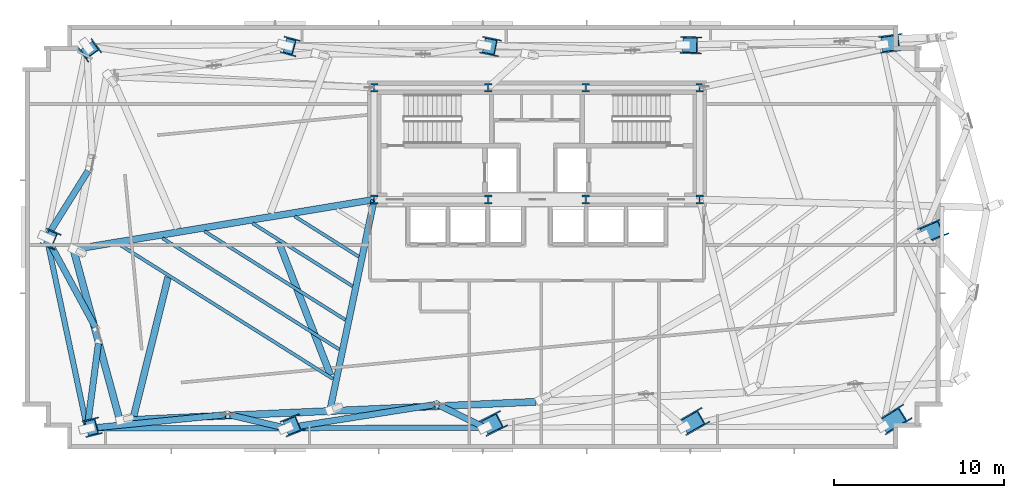
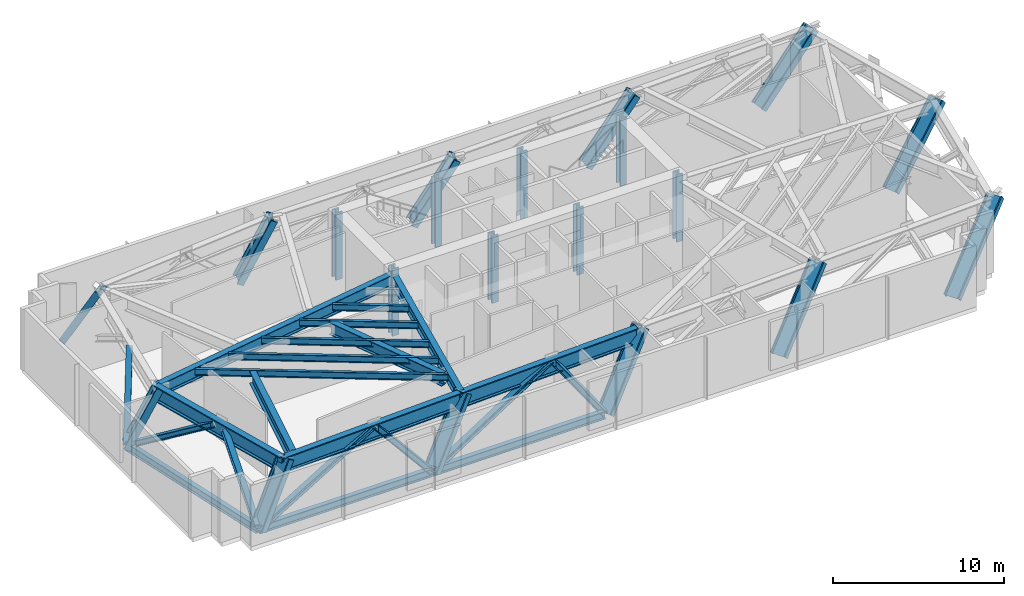
# One storey, part 1 of 11: 20 columns, 12 beams, 10 members.
"""IFC4 building model written with IfcOpenShell, lengths in metres."""

from ifc_helpers import new_model, si_unit, direction, frame, origin, origin_2d, place, context, subcontext, project, spatial, i_section, extrude, source, transform, mapped, material, material_profile, profile_set, type_object, type_shapes, element, save


model = new_model("IFC4")

# Units and contexts
model_context = context("Model", 3, precision=1e-05, world=origin(), true_north=direction((0.0, 1.0)))
body_context = subcontext(model_context, "Body", "Model", "MODEL_VIEW")
ifc_project = project(units=[si_unit("LENGTHUNIT", "METRE"), si_unit("AREAUNIT", "SQUARE_METRE"), si_unit("VOLUMEUNIT", "CUBIC_METRE"), si_unit("PLANEANGLEUNIT", "RADIAN"), si_unit("MASSUNIT", "GRAM", prefix="KILO")], contexts=[model_context])

# Site, building, storey
site_placement = place(None, origin())
site = spatial("IfcSite", under=ifc_project, at=site_placement, CompositionType="ELEMENT")
building_placement = place(site_placement, origin())
building = spatial("IfcBuilding", under=site, at=building_placement, Name="Astriad Promenade Condominiums", CompositionType="ELEMENT")
storey_placement = place(building_placement, frame((0.0, 0.0, 67.800048828125)))
storey = spatial("IfcBuildingStorey", under=building, at=storey_placement, Name="L19", CompositionType="ELEMENT", Elevation=67.800048828125)

# Columns
ifc_material = material(Name="Steel ASTM A992 Grade 50", Category="steel")
ifc_material_profile_1 = material_profile(ifc_material, i_section(OverallWidth=0.43701171875, OverallDepth=0.51416015625, WebThickness=0.060546875, FlangeThickness=0.096923828125, FilletRadius=0.017822265625, at=origin_2d()), Name="W14X550")
ifc_profile_set_1 = profile_set([ifc_material_profile_1], Name="Steel ASTM A992 Grade 50")
column_type_1 = type_object("IfcColumnType", Name="STEEL CORE PILASTER W14X550", PredefinedType="PILASTER", material=ifc_profile_set_1)
shared_shape_1 = source(origin(), body_context, "Body", "SweptSolid", [
    extrude(i_section(OverallWidth=0.43701171875, OverallDepth=0.51416015625, WebThickness=0.060546875, FlangeThickness=0.096923828125, FilletRadius=0.017822265625, at=origin_2d()), origin(), (0.0, 0.0, 1.0), 4.7958984375),
])
type_shapes(column_type_1, [shared_shape_1])
for number, where, z_axis, x_axis, name in (
    (1, (26.39990234375, 17.39990234375, 0.001953125), (0.0, 0.0, 1.0), (1.0, 0.0, 0.0), "Core Pilaster Column CP1 (L19)"),
    (2, (33.1201171875, 17.39990234375, 0.001953125), (0.0, 0.0, 1.0), (1.0, 0.0, 0.0), "Core Pilaster Column CP2 (L19)"),
    (3, (38.8798828125, 17.39990234375, 0.001953125), (0.0, 0.0, 1.0), (1.0, 0.0, 0.0), "Core Pilaster Column CP3 (L19)"),
    (4, (45.60009765625, 17.39990234375, 0.001953125), (0.0, 0.0, 1.0), (1.0, 0.0, 0.0), "Core Pilaster Column CP4 (L19)"),
    (5, (26.39990234375, 24.0, 0.001953125), (0.0, 0.0, 1.0), (1.0, 0.0, 0.0), "Core Pilaster Column CP5 (L19)"),
    (6, (33.1201171875, 24.0, 0.001953125), (0.0, 0.0, 1.0), (1.0, 0.0, 0.0), "Core Pilaster Column CP6 (L19)"),
    (7, (38.8798828125, 24.0, 0.001953125), (0.0, 0.0, 1.0), (1.0, 0.0, 0.0), "Core Pilaster Column CP7 (L19)"),
    (8, (45.60009765625, 24.0, 0.001953125), (0.0, 0.0, 1.0), (1.0, 0.0, 0.0), "Core Pilaster Column CP8 (L19)"),
):
    element("IfcColumn", number, at=place(storey_placement, frame(where, z_axis=z_axis, x_axis=x_axis)), inside=storey, type_object=column_type_1, Name=name, PredefinedType="PILASTER", context=body_context, shape_type="MappedRepresentation", body=[
        mapped(shared_shape_1, transform((0.0, 0.0, 0.0), scale=1.0)),
    ])
ifc_material_profile_2 = material_profile(ifc_material, i_section(OverallWidth=0.4375, OverallDepth=1.01123046875, WebThickness=0.041015625, FlangeThickness=0.073974609375, FilletRadius=0.024169921875, at=origin_2d()), Name="W36X529")
ifc_profile_set_2 = profile_set([ifc_material_profile_2], Name="Steel ASTM A992 Grade 50")
column_type_2 = type_object("IfcColumnType", Name="STEEL RAKING MEGA COLUMN W36X529", PredefinedType="COLUMN", material=ifc_profile_set_2)
shared_shape_2 = source(origin(), body_context, "Body", "SweptSolid", [
    extrude(i_section(OverallWidth=0.4375, OverallDepth=1.01123046875, WebThickness=0.041015625, FlangeThickness=0.073974609375, FilletRadius=0.024169921875, at=origin_2d()), origin(), (0.0, 0.0, 1.0), 4.709716796875),
])
column_1_placement = place(storey_placement, frame((9.460205078125, 3.89501953125, 0.115234375), z_axis=(0.459189207654, 0.113527248223, 0.881054388494), x_axis=(-0.855302030162, -0.211459860697, 0.473014972823)))
element("IfcColumn", 9, at=column_1_placement, inside=storey, type_object=column_type_2, Name="Raking Mega-Strut Column PC01 (L19)", PredefinedType="COLUMN", context=body_context, shape_type="MappedRepresentation", body=[
    mapped(shared_shape_2, transform((0.0, 0.0, 0.0), scale=1.0)),
])
shared_shape_3 = source(origin(), body_context, "Body", "SweptSolid", [
    extrude(i_section(OverallWidth=0.4375, OverallDepth=1.01123046875, WebThickness=0.041015625, FlangeThickness=0.073974609375, FilletRadius=0.024169921875, at=origin_2d()), origin(), (0.0, 0.0, 1.0), 5.0673828125),
])
column_2_placement = place(storey_placement, frame((21.19482421875, 3.918212890625, 0.140625), z_axis=(0.545277621351, 0.220221241137, 0.808810806435), x_axis=(-0.749957023559, -0.302885099371, 0.588068941021)))
element("IfcColumn", 10, at=column_2_placement, inside=storey, type_object=column_type_2, Name="Raking Mega-Strut Column PC02 (L19)", PredefinedType="COLUMN", context=body_context, shape_type="MappedRepresentation", body=[
    mapped(shared_shape_3, transform((0.0, 0.0, 0.0), scale=1.0)),
])
shared_shape_4 = source(origin(), body_context, "Body", "SweptSolid", [
    extrude(i_section(OverallWidth=0.4375, OverallDepth=1.01123046875, WebThickness=0.041015625, FlangeThickness=0.073974609375, FilletRadius=0.024169921875, at=origin_2d()), origin(), (0.0, 0.0, 1.0), 5.530517578125),
])
column_3_placement = place(storey_placement, frame((32.932861328125, 3.94677734375, 0.16064453125), z_axis=(0.606986137209, 0.30499397978, 0.733857275997), x_axis=(-0.655732041626, -0.329487467316, 0.67930368648)))
element("IfcColumn", 11, at=column_3_placement, inside=storey, type_object=column_type_2, Name="Raking Mega-Strut Column PC03 (L19)", PredefinedType="COLUMN", context=body_context, shape_type="MappedRepresentation", body=[
    mapped(shared_shape_4, transform((0.0, 0.0, 0.0), scale=1.0)),
])
shared_shape_5 = source(origin(), body_context, "Body", "SweptSolid", [
    extrude(i_section(OverallWidth=0.4375, OverallDepth=1.01123046875, WebThickness=0.041015625, FlangeThickness=0.073974609375, FilletRadius=0.024169921875, at=origin_2d()), origin(), (0.0, 0.0, 1.0), 6.07373046875),
])
column_4_placement = place(storey_placement, frame((44.672119140625, 3.978271484375, 0.175537109375), z_axis=(0.650053077924, 0.370729627609, 0.663317826607), x_axis=(-0.576199405668, -0.328610383285, 0.748337798661)))
element("IfcColumn", 12, at=column_4_placement, inside=storey, type_object=column_type_2, Name="Raking Mega-Strut Column PC04 (L19)", PredefinedType="COLUMN", context=body_context, shape_type="MappedRepresentation", body=[
    mapped(shared_shape_5, transform((0.0, 0.0, 0.0), scale=1.0)),
])
shared_shape_6 = source(origin(), body_context, "Body", "SweptSolid", [
    extrude(i_section(OverallWidth=0.4375, OverallDepth=1.01123046875, WebThickness=0.041015625, FlangeThickness=0.073974609375, FilletRadius=0.024169921875, at=origin_2d()), origin(), (0.0, 0.0, 1.0), 6.67578125),
])
column_5_placement = place(storey_placement, frame((56.411865234375, 4.01123046875, 0.186767578125), z_axis=(0.679883382417, 0.42143919633, 0.600122979155), x_axis=(-0.510075868741, -0.316180641782, 0.799907750863)))
element("IfcColumn", 13, at=column_5_placement, inside=storey, type_object=column_type_2, Name="Raking Mega-Strut Column PC05 (L19)", PredefinedType="COLUMN", context=body_context, shape_type="MappedRepresentation", body=[
    mapped(shared_shape_6, transform((0.0, 0.0, 0.0), scale=1.0)),
])
shared_shape_7 = source(origin(), body_context, "Body", "SweptSolid", [
    extrude(i_section(OverallWidth=0.4375, OverallDepth=1.01123046875, WebThickness=0.041015625, FlangeThickness=0.073974609375, FilletRadius=0.024169921875, at=origin_2d()), origin(), (0.0, 0.0, 1.0), 4.74365234375),
])
column_6_placement = place(storey_placement, frame((9.43896484375, 26.466552734375, 0.11865234375), z_axis=(0.286665523247, -0.39397209703, 0.87327479326), x_axis=(-0.513800047409, 0.706129149537, 0.487228011774)))
element("IfcColumn", 14, at=column_6_placement, inside=storey, type_object=column_type_2, Name="Raking Mega-Strut Column PC06 (L19)", PredefinedType="COLUMN", context=body_context, shape_type="MappedRepresentation", body=[
    mapped(shared_shape_7, transform((0.0, 0.0, 0.0), scale=1.0)),
])
shared_shape_8 = source(origin(), body_context, "Body", "SweptSolid", [
    extrude(i_section(OverallWidth=0.4375, OverallDepth=1.01123046875, WebThickness=0.041015625, FlangeThickness=0.073974609375, FilletRadius=0.024169921875, at=origin_2d()), origin(), (0.0, 0.0, 1.0), 4.6494140625),
])
column_7_placement = place(storey_placement, frame((21.152587890625, 26.505615234375, 0.109375), z_axis=(0.430636998104, -0.116415342616, 0.894985610984), x_axis=(-0.863972718765, 0.233560238691, 0.446095007966)))
element("IfcColumn", 15, at=column_7_placement, inside=storey, type_object=column_type_2, Name="Raking Mega-Strut Column PC07 (L19)", PredefinedType="COLUMN", context=body_context, shape_type="MappedRepresentation", body=[
    mapped(shared_shape_8, transform((0.0, 0.0, 0.0), scale=1.0)),
])
shared_shape_9 = source(origin(), body_context, "Body", "SweptSolid", [
    extrude(i_section(OverallWidth=0.4375, OverallDepth=1.01123046875, WebThickness=0.041015625, FlangeThickness=0.073974609375, FilletRadius=0.024169921875, at=origin_2d()), origin(), (0.0, 0.0, 1.0), 4.90576171875),
])
column_8_placement = place(storey_placement, frame((32.883056640625, 26.5029296875, 0.130859375), z_axis=(0.532309385459, -0.109238883796, 0.839472205864), x_axis=(-0.822334879138, 0.168757017549, 0.543402627507)))
element("IfcColumn", 16, at=column_8_placement, inside=storey, type_object=column_type_2, Name="Raking Mega-Strut Column PC08 (L19)", PredefinedType="COLUMN", context=body_context, shape_type="MappedRepresentation", body=[
    mapped(shared_shape_9, transform((0.0, 0.0, 0.0), scale=1.0)),
])
shared_shape_10 = source(origin(), body_context, "Body", "SweptSolid", [
    extrude(i_section(OverallWidth=0.4375, OverallDepth=1.01123046875, WebThickness=0.041015625, FlangeThickness=0.073974609375, FilletRadius=0.024169921875, at=origin_2d()), origin(), (0.0, 0.0, 1.0), 5.19970703125),
])
column_9_placement = place(storey_placement, frame((44.615966796875, 26.516845703125, 0.147216796875), z_axis=(0.618371015746, -0.016574409154, 0.7857115093), x_axis=(-0.78542942621, 0.021052132684, 0.618593100635)))
element("IfcColumn", 17, at=column_9_placement, inside=storey, type_object=column_type_2, Name="Raking Mega-Strut Column PC09 (L19)", PredefinedType="COLUMN", context=body_context, shape_type="MappedRepresentation", body=[
    mapped(shared_shape_10, transform((0.0, 0.0, 0.0), scale=1.0)),
])
shared_shape_11 = source(origin(), body_context, "Body", "SweptSolid", [
    extrude(i_section(OverallWidth=0.4375, OverallDepth=1.01123046875, WebThickness=0.041015625, FlangeThickness=0.073974609375, FilletRadius=0.024169921875, at=origin_2d()), origin(), (0.0, 0.0, 1.0), 5.58740234375),
])
column_10_placement = place(storey_placement, frame((56.352783203125, 26.539794921875, 0.162353515625), z_axis=(0.682177738358, 0.088702332108, 0.725786077), x_axis=(-0.719727246823, -0.093584826483, 0.687920468101)))
element("IfcColumn", 18, at=column_10_placement, inside=storey, type_object=column_type_2, Name="Raking Mega-Strut Column PC10 (L19)", PredefinedType="COLUMN", context=body_context, shape_type="MappedRepresentation", body=[
    mapped(shared_shape_11, transform((0.0, 0.0, 0.0), scale=1.0)),
])
shared_shape_12 = source(origin(), body_context, "Body", "SweptSolid", [
    extrude(i_section(OverallWidth=0.4375, OverallDepth=1.01123046875, WebThickness=0.041015625, FlangeThickness=0.073974609375, FilletRadius=0.024169921875, at=origin_2d()), origin(), (0.0, 0.0, 1.0), 4.600830078125),
])
column_11_placement = place(storey_placement, frame((7.064453125, 15.180419921875, 0.104248046875), z_axis=(0.386210053475, -0.169650115548, 0.906675594074), x_axis=(-0.830117328053, 0.364644833441, 0.421828599209)))
element("IfcColumn", 19, at=column_11_placement, inside=storey, type_object=column_type_2, Name="Raking Mega-Strut Column PC11 (L19)", PredefinedType="COLUMN", context=body_context, shape_type="MappedRepresentation", body=[
    mapped(shared_shape_12, transform((0.0, 0.0, 0.0), scale=1.0)),
])
shared_shape_13 = source(origin(), body_context, "Body", "SweptSolid", [
    extrude(i_section(OverallWidth=0.4375, OverallDepth=1.01123046875, WebThickness=0.041015625, FlangeThickness=0.073974609375, FilletRadius=0.024169921875, at=origin_2d()), origin(), (0.0, 0.0, 1.0), 6.062255859375),
])
type_shapes(column_type_2, [shared_shape_2, shared_shape_3, shared_shape_4, shared_shape_5, shared_shape_6, shared_shape_7, shared_shape_8, shared_shape_9, shared_shape_10, shared_shape_11, shared_shape_12, shared_shape_13])
column_12_placement = place(storey_placement, frame((58.76171875, 15.27685546875, 0.17529296875), z_axis=(0.688020550585, 0.291293177381, 0.664662325383), x_axis=(-0.612065955213, -0.25913562714, 0.74714389057)))
element("IfcColumn", 20, at=column_12_placement, inside=storey, type_object=column_type_2, Name="Raking Mega-Strut Column PC12 (L19)", PredefinedType="COLUMN", context=body_context, shape_type="MappedRepresentation", body=[
    mapped(shared_shape_13, transform((0.0, 0.0, 0.0), scale=1.0)),
])

# Beams
ifc_material_profile_3 = material_profile(ifc_material, i_section(OverallWidth=0.4169921875, OverallDepth=1.093505859375, WebThickness=0.0390625, FlangeThickness=0.070068359375, FilletRadius=0.025390625, at=origin_2d()), Name="W40X503")
ifc_profile_set_3 = profile_set([ifc_material_profile_3], Name="Steel ASTM A992 Grade 50")
beam_type_1 = type_object("IfcBeamType", Name="STEEL TRANSFER GIRDER W40X503", PredefinedType="BEAM", material=ifc_profile_set_3)
shared_shape_14 = source(origin(), body_context, "Body", "SweptSolid", [
    extrude(i_section(OverallWidth=0.4169921875, OverallDepth=1.093505859375, WebThickness=0.0390625, FlangeThickness=0.070068359375, FilletRadius=0.025390625, at=origin_2d()), origin(), (0.0, 0.0, 1.0), 12.218505859375),
])
beam_1_placement = place(storey_placement, frame((11.43798828125, 4.3759765625, 3.833251953125), z_axis=(0.999001438478, 0.04467802501, 0.0), x_axis=(-0.04467802501, 0.999001438478, 0.0)))
element("IfcBeam", 21, at=beam_1_placement, inside=storey, type_object=beam_type_1, Name="Perimeter Spandrel Beam SP-S1-L19", PredefinedType="BEAM", context=body_context, shape_type="MappedRepresentation", body=[
    mapped(shared_shape_14, transform((0.0, 0.0, 0.0), scale=1.0)),
])
shared_shape_15 = source(origin(), body_context, "Body", "SweptSolid", [
    extrude(i_section(OverallWidth=0.4169921875, OverallDepth=1.093505859375, WebThickness=0.0390625, FlangeThickness=0.070068359375, FilletRadius=0.025390625, at=origin_2d()), origin(), (0.0, 0.0, 1.0), 12.21875),
])
beam_2_placement = place(storey_placement, frame((23.72412109375, 4.92529296875, 3.833251953125), z_axis=(0.999001478362, 0.044677133198, 0.0), x_axis=(-0.044677133198, 0.999001478362, 0.0)))
element("IfcBeam", 22, at=beam_2_placement, inside=storey, type_object=beam_type_1, Name="Perimeter Spandrel Beam SP-S2-L19", PredefinedType="BEAM", context=body_context, shape_type="MappedRepresentation", body=[
    mapped(shared_shape_15, transform((0.0, 0.0, 0.0), scale=1.0)),
])
shared_shape_16 = source(origin(), body_context, "Body", "SweptSolid", [
    extrude(i_section(OverallWidth=0.4169921875, OverallDepth=1.093505859375, WebThickness=0.0390625, FlangeThickness=0.070068359375, FilletRadius=0.025390625, at=origin_2d()), origin(), (0.0, 0.0, 1.0), 10.39453125),
])
type_shapes(beam_type_1, [shared_shape_14, shared_shape_15, shared_shape_16])
beam_3_placement = place(storey_placement, frame((8.663330078125, 14.444091796875, 3.833251953125), z_axis=(0.262071883457, -0.965048355214, 0.0), x_axis=(0.965048355214, 0.262071883457, 0.0)))
element("IfcBeam", 23, at=beam_3_placement, inside=storey, type_object=beam_type_1, Name="Perimeter Spandrel Beam SP-W1-L19", PredefinedType="BEAM", context=body_context, shape_type="MappedRepresentation", body=[
    mapped(shared_shape_16, transform((0.0, 0.0, 0.0), scale=1.0)),
])
ifc_material_profile_4 = material_profile(ifc_material, i_section(OverallWidth=0.4013671875, OverallDepth=0.877197265625, WebThickness=0.022216796875, FlangeThickness=0.039794921875, FilletRadius=0.02294921875, at=origin_2d()), Name="W33X263")
ifc_profile_set_4 = profile_set([ifc_material_profile_4], Name="Steel ASTM A992 Grade 50")
beam_type_2 = type_object("IfcBeamType", Name="STEEL PRIMARY GIRDER W33X263", PredefinedType="BEAM", material=ifc_profile_set_4)
shared_shape_17 = source(origin(), body_context, "Body", "SweptSolid", [
    extrude(i_section(OverallWidth=0.4013671875, OverallDepth=0.877197265625, WebThickness=0.022216796875, FlangeThickness=0.039794921875, FilletRadius=0.02294921875, at=origin_2d()), origin(), (0.0, 0.0, 1.0), 17.863037109375),
])
type_shapes(beam_type_2, [shared_shape_17])
beam_4_placement = place(storey_placement, frame((8.738525390625, 14.46875, 3.94140625), z_axis=(0.986504515552, 0.163734055089, 0.0), x_axis=(-0.163734055089, 0.986504515552, 0.0)))
element("IfcBeam", 24, at=beam_4_placement, inside=storey, type_object=beam_type_2, Name="Primary Floor Girder PG-WM-L19", PredefinedType="BEAM", context=body_context, shape_type="MappedRepresentation", body=[
    mapped(shared_shape_17, transform((0.0, 0.0, 0.0), scale=1.0)),
])
ifc_material_profile_5 = material_profile(ifc_material, i_section(OverallWidth=0.3837890625, OverallDepth=0.785888671875, WebThickness=0.019775390625, FlangeThickness=0.033447265625, FilletRadius=0.021484375, at=origin_2d()), Name="W30X211")
ifc_profile_set_5 = profile_set([ifc_material_profile_5], Name="Steel ASTM A992 Grade 50")
beam_type_3 = type_object("IfcBeamType", Name="STEEL FLOOR GIRDER W30X211", PredefinedType="BEAM", material=ifc_profile_set_5)
shared_shape_18 = source(origin(), body_context, "Body", "SweptSolid", [
    extrude(i_section(OverallWidth=0.3837890625, OverallDepth=0.785888671875, WebThickness=0.019775390625, FlangeThickness=0.033447265625, FilletRadius=0.021484375, at=origin_2d()), origin(), (0.0, 0.0, 1.0), 12.6259765625),
])
type_shapes(beam_type_3, [shared_shape_18])
beam_5_placement = place(storey_placement, frame((23.796142578125, 5.004638671875, 3.987060546875), z_axis=(0.205585571733, 0.978639143247, 0.0), x_axis=(-0.978639143247, 0.205585571733, 0.0)))
element("IfcBeam", 25, at=beam_5_placement, inside=storey, type_object=beam_type_3, Name="Primary Floor Girder PG-W2-L19", PredefinedType="BEAM", context=body_context, shape_type="MappedRepresentation", body=[
    mapped(shared_shape_18, transform((0.0, 0.0, 0.0), scale=1.0)),
])
ifc_material_profile_6 = material_profile(ifc_material, i_section(OverallWidth=0.19287109375, OverallDepth=0.466064453125, WebThickness=0.011474609375, FlangeThickness=0.01904296875, FilletRadius=0.01513671875, at=origin_2d()), Name="W18X65")
ifc_profile_set_6 = profile_set([ifc_material_profile_6], Name="Steel ASTM A992 Grade 50")
beam_type_4 = type_object("IfcBeamType", Name="STEEL FLOOR JOIST W18X65", PredefinedType="JOIST", material=ifc_profile_set_6)
shared_shape_19 = source(origin(), body_context, "Body", "SweptSolid", [
    extrude(i_section(OverallWidth=0.19287109375, OverallDepth=0.466064453125, WebThickness=0.011474609375, FlangeThickness=0.01904296875, FilletRadius=0.01513671875, at=origin_2d()), origin(), (0.0, 0.0, 1.0), 14.805908203125),
])
beam_6_placement = place(storey_placement, frame((11.44140625, 14.707275390625, 4.14697265625), z_axis=(0.846320119059, -0.53267462496, 0.0), x_axis=(0.53267462496, 0.846320119059, 0.0)))
element("IfcBeam", 26, at=beam_6_placement, inside=storey, type_object=beam_type_4, Name="Secondary Composite Floor Joist JW1-1-L19", PredefinedType="JOIST", context=body_context, shape_type="MappedRepresentation", body=[
    mapped(shared_shape_19, transform((0.0, 0.0, 0.0), scale=1.0)),
])
shared_shape_20 = source(origin(), body_context, "Body", "SweptSolid", [
    extrude(i_section(OverallWidth=0.19287109375, OverallDepth=0.466064453125, WebThickness=0.011474609375, FlangeThickness=0.01904296875, FilletRadius=0.01513671875, at=origin_2d()), origin(), (0.0, 0.0, 1.0), 12.31005859375),
])
beam_7_placement = place(storey_placement, frame((13.91943359375, 15.11865234375, 4.14697265625), z_axis=(0.84632390652, -0.532668607347, 0.0), x_axis=(0.532668607347, 0.84632390652, 0.0)))
element("IfcBeam", 27, at=beam_7_placement, inside=storey, type_object=beam_type_4, Name="Secondary Composite Floor Joist JW1-2-L19", PredefinedType="JOIST", context=body_context, shape_type="MappedRepresentation", body=[
    mapped(shared_shape_20, transform((0.0, 0.0, 0.0), scale=1.0)),
])
shared_shape_21 = source(origin(), body_context, "Body", "SweptSolid", [
    extrude(i_section(OverallWidth=0.19287109375, OverallDepth=0.466064453125, WebThickness=0.011474609375, FlangeThickness=0.01904296875, FilletRadius=0.01513671875, at=origin_2d()), origin(), (0.0, 0.0, 1.0), 9.813720703125),
])
beam_8_placement = place(storey_placement, frame((16.397705078125, 15.52978515625, 4.14697265625), z_axis=(0.84632256198, -0.532670743596, 0.0), x_axis=(0.532670743596, 0.84632256198, 0.0)))
element("IfcBeam", 28, at=beam_8_placement, inside=storey, type_object=beam_type_4, Name="Secondary Composite Floor Joist JW1-3-L19", PredefinedType="JOIST", context=body_context, shape_type="MappedRepresentation", body=[
    mapped(shared_shape_21, transform((0.0, 0.0, 0.0), scale=1.0)),
])
shared_shape_22 = source(origin(), body_context, "Body", "SweptSolid", [
    extrude(i_section(OverallWidth=0.19287109375, OverallDepth=0.466064453125, WebThickness=0.011474609375, FlangeThickness=0.01904296875, FilletRadius=0.01513671875, at=origin_2d()), origin(), (0.0, 0.0, 1.0), 6.96142578125),
])
beam_9_placement = place(storey_placement, frame((19.229736328125, 16.0, 4.14697265625), z_axis=(0.846315406943, -0.532682111555, 0.0), x_axis=(0.532682111555, 0.846315406943, 0.0)))
element("IfcBeam", 29, at=beam_9_placement, inside=storey, type_object=beam_type_4, Name="Secondary Composite Floor Joist JW1-4-L19", PredefinedType="JOIST", context=body_context, shape_type="MappedRepresentation", body=[
    mapped(shared_shape_22, transform((0.0, 0.0, 0.0), scale=1.0)),
])
shared_shape_23 = source(origin(), body_context, "Body", "SweptSolid", [
    extrude(i_section(OverallWidth=0.19287109375, OverallDepth=0.466064453125, WebThickness=0.011474609375, FlangeThickness=0.01904296875, FilletRadius=0.01513671875, at=origin_2d()), origin(), (0.0, 0.0, 1.0), 4.46533203125),
])
type_shapes(beam_type_4, [shared_shape_19, shared_shape_20, shared_shape_21, shared_shape_22, shared_shape_23])
beam_10_placement = place(storey_placement, frame((21.7080078125, 16.4111328125, 4.14697265625), z_axis=(0.846332348837, -0.532655193641, 0.0), x_axis=(0.532655193641, 0.846332348837, 0.0)))
element("IfcBeam", 30, at=beam_10_placement, inside=storey, type_object=beam_type_4, Name="Secondary Composite Floor Joist JW1-5-L19", PredefinedType="JOIST", context=body_context, shape_type="MappedRepresentation", body=[
    mapped(shared_shape_23, transform((0.0, 0.0, 0.0), scale=1.0)),
])
ifc_material_profile_7 = material_profile(ifc_material, i_section(OverallWidth=0.4013671875, OverallDepth=0.877197265625, WebThickness=0.022216796875, FlangeThickness=0.039794921875, FilletRadius=0.02294921875, at=origin_2d()), Name="W33X263")
ifc_profile_set_7 = profile_set([ifc_material_profile_7], Name="Steel ASTM A992 Grade 50")
beam_type_5 = type_object("IfcBeamType", Name="STEEL TRANSFER CARRIER GIRDER W33X263", PredefinedType="BEAM", material=ifc_profile_set_7)
shared_shape_24 = source(origin(), body_context, "Body", "SweptSolid", [
    extrude(i_section(OverallWidth=0.4013671875, OverallDepth=0.877197265625, WebThickness=0.022216796875, FlangeThickness=0.039794921875, FilletRadius=0.02294921875, at=origin_2d()), origin(), (0.0, 0.0, 1.0), 8.434814453125),
])
beam_11_placement = place(storey_placement, frame((14.244873046875, 12.817626953125, 3.94140625), z_axis=(-0.240008114494, -0.970770881814, 0.0), x_axis=(0.970770881814, -0.240008114494, 0.0)))
element("IfcBeam", 31, at=beam_11_placement, inside=storey, type_object=beam_type_5, Name="Transfer Splice Carrier TRM-SP-PC01-L19", PredefinedType="BEAM", context=body_context, shape_type="MappedRepresentation", body=[
    mapped(shared_shape_24, transform((0.0, 0.0, 0.0), scale=1.0)),
])
shared_shape_25 = source(origin(), body_context, "Body", "SweptSolid", [
    extrude(i_section(OverallWidth=0.4013671875, OverallDepth=0.877197265625, WebThickness=0.022216796875, FlangeThickness=0.039794921875, FilletRadius=0.02294921875, at=origin_2d()), origin(), (0.0, 0.0, 1.0), 8.458984375),
])
type_shapes(beam_type_5, [shared_shape_24, shared_shape_25])
beam_12_placement = place(storey_placement, frame((20.758056640625, 14.9169921875, 3.94140625), z_axis=(0.362616174446, -0.931938576318, 0.0), x_axis=(0.931938576318, 0.362616174446, 0.0)))
element("IfcBeam", 32, at=beam_12_placement, inside=storey, type_object=beam_type_5, Name="Transfer Splice Carrier TRM-SP-PC02-L19", PredefinedType="BEAM", context=body_context, shape_type="MappedRepresentation", body=[
    mapped(shared_shape_25, transform((0.0, 0.0, 0.0), scale=1.0)),
])

# Members
ifc_material_profile_8 = material_profile(ifc_material, i_section(OverallWidth=0.31787109375, OverallDepth=0.560302734375, WebThickness=0.018310546875, FlangeThickness=0.029296875, FilletRadius=0.0166015625, at=origin_2d()), Name="W21X147")
ifc_profile_set_8 = profile_set([ifc_material_profile_8], Name="Steel ASTM A992 Grade 50")
member_type_1 = type_object("IfcMemberType", Name="STEEL BELT TRUSS CHORD W21X147", PredefinedType="CHORD", material=ifc_profile_set_8)
shared_shape_26 = source(origin(), body_context, "Body", "SweptSolid", [
    extrude(i_section(OverallWidth=0.31787109375, OverallDepth=0.560302734375, WebThickness=0.018310546875, FlangeThickness=0.029296875, FilletRadius=0.0166015625, at=origin_2d()), origin(), (0.0, 0.0, 1.0), 11.671875),
])
member_1_placement = place(storey_placement, frame((9.498046875, 3.898193359375, 0.139892578125), z_axis=(0.999998529058, 0.001715191587, 0.0), x_axis=(-0.001715191587, 0.999998529058, 0.0)))
element("IfcMember", 33, at=member_1_placement, inside=storey, type_object=member_type_1, Name="Belt Truss Chord L19-01", PredefinedType="CHORD", context=body_context, shape_type="MappedRepresentation", body=[
    mapped(shared_shape_26, transform((0.0, 0.0, 0.0), scale=1.0)),
])
ifc_material_profile_9 = material_profile(ifc_material, i_section(OverallWidth=0.37255859375, OverallDepth=0.367919921875, WebThickness=0.014892578125, FlangeThickness=0.02392578125, FilletRadius=0.017822265625, at=origin_2d()), Name="W14X120")
ifc_profile_set_9 = profile_set([ifc_material_profile_9], Name="Steel ASTM A992 Grade 50")
member_type_2 = type_object("IfcMemberType", Name="STEEL OUTRIGGER DIAGONAL W14X120", PredefinedType="BRACE", material=ifc_profile_set_9)
shared_shape_27 = source(origin(), body_context, "Body", "SweptSolid", [
    extrude(i_section(OverallWidth=0.37255859375, OverallDepth=0.367919921875, WebThickness=0.014892578125, FlangeThickness=0.02392578125, FilletRadius=0.017822265625, at=origin_2d()), origin(), (0.0, 0.0, 1.0), 9.215087890625),
])
member_2_placement = place(storey_placement, frame((9.495361328125, 3.900390625, 0.15087890625), z_axis=(0.894459685254, 0.088966429403, 0.438208678478), x_axis=(-0.098975497938, 0.995089870719, 0.0)))
element("IfcMember", 34, at=member_2_placement, inside=storey, type_object=member_type_2, Name="Belt Truss Diagonal L19-01A", PredefinedType="BRACE", context=body_context, shape_type="MappedRepresentation", body=[
    mapped(shared_shape_27, transform((0.0, 0.0, 0.0), scale=1.0)),
])
shared_shape_28 = source(origin(), body_context, "Body", "SweptSolid", [
    extrude(i_section(OverallWidth=0.37255859375, OverallDepth=0.367919921875, WebThickness=0.014892578125, FlangeThickness=0.02392578125, FilletRadius=0.017822265625, at=origin_2d()), origin(), (0.0, 0.0, 1.0), 5.328369140625),
])
member_3_placement = place(storey_placement, frame((21.1787109375, 3.922119140625, 0.158935546875), z_axis=(-0.638591583976, 0.149510248871, 0.754882424195), x_axis=(-0.227960565577, -0.973670365443, 0.0)))
element("IfcMember", 35, at=member_3_placement, inside=storey, type_object=member_type_2, Name="Belt Truss Diagonal L19-01B", PredefinedType="BRACE", context=body_context, shape_type="MappedRepresentation", body=[
    mapped(shared_shape_28, transform((0.0, 0.0, 0.0), scale=1.0)),
])
shared_shape_29 = source(origin(), body_context, "Body", "SweptSolid", [
    extrude(i_section(OverallWidth=0.31787109375, OverallDepth=0.560302734375, WebThickness=0.018310546875, FlangeThickness=0.029296875, FilletRadius=0.0166015625, at=origin_2d()), origin(), (0.0, 0.0, 1.0), 11.68798828125),
])
member_4_placement = place(storey_placement, frame((21.2197265625, 3.91845703125, 0.139892578125), z_axis=(0.999997114877, 0.002402132018, 0.0), x_axis=(-0.002402132018, 0.999997114877, 0.0)))
element("IfcMember", 36, at=member_4_placement, inside=storey, type_object=member_type_1, Name="Belt Truss Chord L19-02", PredefinedType="CHORD", context=body_context, shape_type="MappedRepresentation", body=[
    mapped(shared_shape_29, transform((0.0, 0.0, 0.0), scale=1.0)),
])
shared_shape_30 = source(origin(), body_context, "Body", "SweptSolid", [
    extrude(i_section(OverallWidth=0.37255859375, OverallDepth=0.367919921875, WebThickness=0.014892578125, FlangeThickness=0.02392578125, FilletRadius=0.017822265625, at=origin_2d()), origin(), (0.0, 0.0, 1.0), 9.83984375),
])
member_5_placement = place(storey_placement, frame((21.21728515625, 3.921875, 0.150146484375), z_axis=(0.900697490881, 0.142168382534, 0.410526711589), x_axis=(-0.155912271873, 0.987770906374, 0.0)))
element("IfcMember", 37, at=member_5_placement, inside=storey, type_object=member_type_2, Name="Belt Truss Diagonal L19-02A", PredefinedType="BRACE", context=body_context, shape_type="MappedRepresentation", body=[
    mapped(shared_shape_30, transform((0.0, 0.0, 0.0), scale=1.0)),
])
shared_shape_31 = source(origin(), body_context, "Body", "SweptSolid", [
    extrude(i_section(OverallWidth=0.37255859375, OverallDepth=0.367919921875, WebThickness=0.014892578125, FlangeThickness=0.02392578125, FilletRadius=0.017822265625, at=origin_2d()), origin(), (0.0, 0.0, 1.0), 5.087158203125),
])
member_6_placement = place(storey_placement, frame((32.9189453125, 3.953369140625, 0.15966796875), z_axis=(-0.55088310521, 0.268218980313, 0.790307777384), x_axis=(-0.437758408169, -0.899092640431, 0.0)))
element("IfcMember", 38, at=member_6_placement, inside=storey, type_object=member_type_2, Name="Belt Truss Diagonal L19-02B", PredefinedType="BRACE", context=body_context, shape_type="MappedRepresentation", body=[
    mapped(shared_shape_31, transform((0.0, 0.0, 0.0), scale=1.0)),
])
shared_shape_32 = source(origin(), body_context, "Body", "SweptSolid", [
    extrude(i_section(OverallWidth=0.31787109375, OverallDepth=0.560302734375, WebThickness=0.018310546875, FlangeThickness=0.029296875, FilletRadius=0.0166015625, at=origin_2d()), origin(), (0.0, 0.0, 1.0), 11.47705078125),
])
type_shapes(member_type_1, [shared_shape_26, shared_shape_29, shared_shape_32])
member_7_placement = place(storey_placement, frame((9.4677734375, 3.922607421875, 0.139892578125), z_axis=(-0.20763868157, 0.978205590822, 0.0), x_axis=(-0.978205590822, -0.20763868157, 0.0)))
element("IfcMember", 39, at=member_7_placement, inside=storey, type_object=member_type_1, Name="Belt Truss Chord L19-09", PredefinedType="CHORD", context=body_context, shape_type="MappedRepresentation", body=[
    mapped(shared_shape_32, transform((0.0, 0.0, 0.0), scale=1.0)),
])
shared_shape_33 = source(origin(), body_context, "Body", "SweptSolid", [
    extrude(i_section(OverallWidth=0.37255859375, OverallDepth=0.367919921875, WebThickness=0.014892578125, FlangeThickness=0.02392578125, FilletRadius=0.017822265625, at=origin_2d()), origin(), (0.0, 0.0, 1.0), 6.365234375),
])
member_8_placement = place(storey_placement, frame((9.4755859375, 3.918212890625, 0.154541015625), z_axis=(0.105399862538, 0.80104662631, 0.589249668183), x_axis=(-0.991454457121, 0.130453284566, 0.0)))
element("IfcMember", 40, at=member_8_placement, inside=storey, type_object=member_type_2, Name="Belt Truss Diagonal L19-09A", PredefinedType="BRACE", context=body_context, shape_type="MappedRepresentation", body=[
    mapped(shared_shape_33, transform((0.0, 0.0, 0.0), scale=1.0)),
])
shared_shape_34 = source(origin(), body_context, "Body", "SweptSolid", [
    extrude(i_section(OverallWidth=0.37255859375, OverallDepth=0.367919921875, WebThickness=0.014892578125, FlangeThickness=0.02392578125, FilletRadius=0.017822265625, at=origin_2d()), origin(), (0.0, 0.0, 1.0), 7.1787109375),
])
member_9_placement = place(storey_placement, frame((7.089599609375, 15.155029296875, 0.153076171875), z_axis=(0.404940375987, -0.747168897324, 0.527031242687), x_axis=(0.879181613177, 0.476486821488, 0.0)))
element("IfcMember", 41, at=member_9_placement, inside=storey, type_object=member_type_2, Name="Belt Truss Diagonal L19-09B", PredefinedType="BRACE", context=body_context, shape_type="MappedRepresentation", body=[
    mapped(shared_shape_34, transform((0.0, 0.0, 0.0), scale=1.0)),
])
shared_shape_35 = source(origin(), body_context, "Body", "SweptSolid", [
    extrude(i_section(OverallWidth=0.37255859375, OverallDepth=0.367919921875, WebThickness=0.014892578125, FlangeThickness=0.02392578125, FilletRadius=0.017822265625, at=origin_2d()), origin(), (0.0, 0.0, 1.0), 6.01220703125),
])
type_shapes(member_type_2, [shared_shape_27, shared_shape_28, shared_shape_30, shared_shape_31, shared_shape_33, shared_shape_34, shared_shape_35])
member_10_placement = place(storey_placement, frame((7.090087890625, 15.1904296875, 0.155517578125), z_axis=(0.415168774683, 0.664781691152, 0.621047656495), x_axis=(-0.848181625746, 0.529705512286, 0.0)))
element("IfcMember", 42, at=member_10_placement, inside=storey, type_object=member_type_2, Name="Belt Truss Diagonal L19-10A", PredefinedType="BRACE", context=body_context, shape_type="MappedRepresentation", body=[
    mapped(shared_shape_35, transform((0.0, 0.0, 0.0), scale=1.0)),
])

save(model, "model.ifc")
